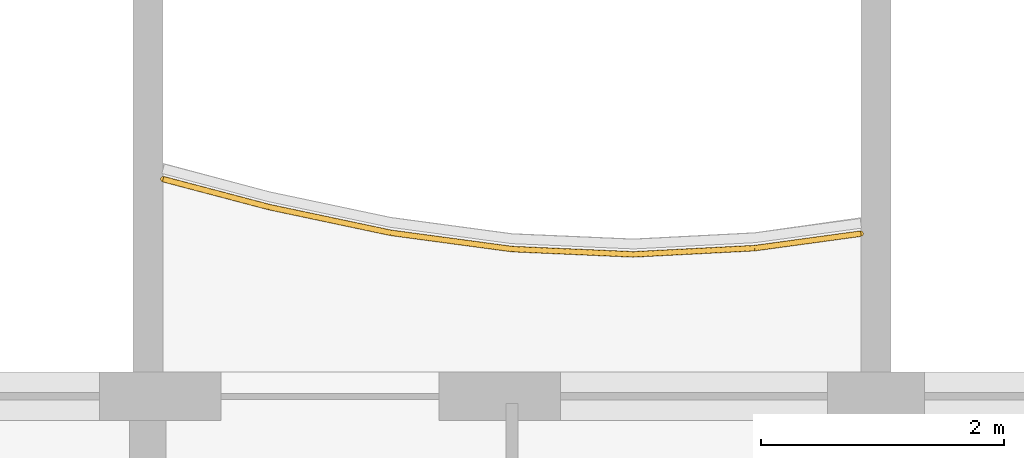
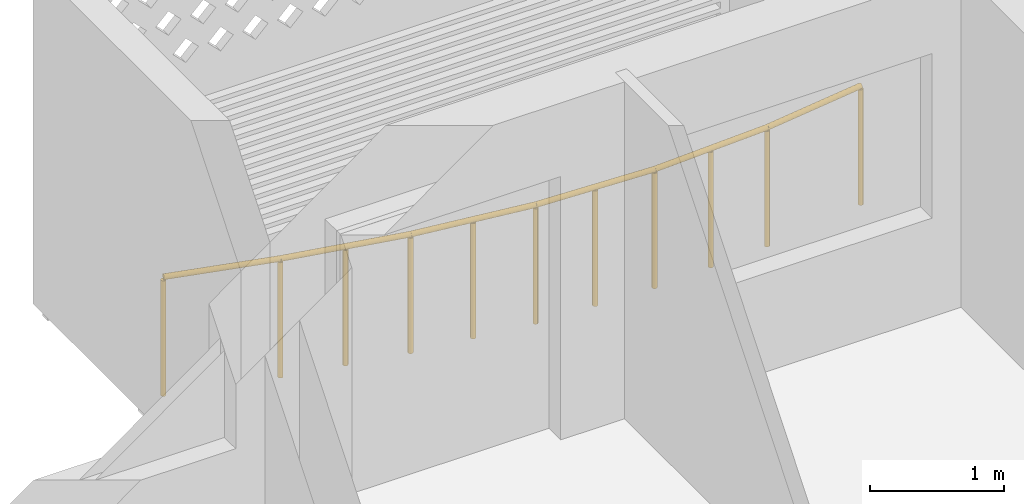
# One storey, part 26 of 33: 1 railing.
"""IFC4 building model written with IfcOpenShell, lengths in metres."""

from ifc_helpers import new_model, si_unit, direction, frame, origin, origin_2d, place, context, subcontext, project, spatial, circle, extrude, material, type_object, element, save


model = new_model("IFC4")

# Units and contexts
model_context = context("Model", 3, precision=1e-05, world=origin(), true_north=direction((0.0, 1.0)))
body_context = subcontext(model_context, "Body", "Model", "MODEL_VIEW")
ifc_project = project(units=[si_unit("LENGTHUNIT", "METRE"), si_unit("AREAUNIT", "SQUARE_METRE"), si_unit("VOLUMEUNIT", "CUBIC_METRE"), si_unit("PLANEANGLEUNIT", "RADIAN"), si_unit("MASSUNIT", "GRAM", prefix="KILO")], contexts=[model_context])

# Site, building, storey
site_placement = place(None, origin())
site = spatial("IfcSite", under=ifc_project, at=site_placement, CompositionType="ELEMENT")
building_placement = place(site_placement, origin())
building = spatial("IfcBuilding", under=site, at=building_placement, Name="Poui Terraces", CompositionType="ELEMENT")
storey_placement = place(building_placement, frame((0.0, 0.0, 135.60009765625)))
storey = spatial("IfcBuildingStorey", under=building, at=storey_placement, Name="L37", CompositionType="ELEMENT", Elevation=135.60009765625)

# Railing
ifc_material = material(Name="Painted steel fretwork", Category="steel")
railing_type = type_object("IfcRailingType", Name="BALCONY GUARD 1100", PredefinedType="GUARDRAIL", material=ifc_material)
railing_placement = place(storey_placement, frame((54.125, 44.190185546875, 0.0)))
element("IfcRailing", 1, at=railing_placement, inside=storey, type_object=railing_type, Name="BALCONY GUARD", PredefinedType="GUARDRAIL", context=body_context, shape_type="SweptSolid", body=[
    extrude(circle(Radius=0.02392578125, at=origin_2d()), frame((0.0, 0.0, 1.076171875), z_axis=(0.966952108313, -0.254958075434, 0.0), x_axis=(0.254958075434, 0.966952108313, 0.0)), (0.0, 0.0, 1.0), 0.90478515625),
    extrude(circle(Radius=0.02392578125, at=origin_2d()), frame((0.875, -0.230712890625, 1.076171875), z_axis=(0.978372019246, -0.206853068522, 0.0), x_axis=(0.206853068522, 0.978372019246, 0.0)), (0.0, 0.0, 1.0), 1.022216796875),
    extrude(circle(Radius=0.02392578125, at=origin_2d()), frame((1.875, -0.442138671875, 1.076171875), z_axis=(0.991104904979, -0.133082934018, 0.0), x_axis=(0.133082934018, 0.991104904979, 0.0)), (0.0, 0.0, 1.0), 1.009033203125),
    extrude(circle(Radius=0.02392578125, at=origin_2d()), frame((2.875, -0.576416015625, 1.076171875), z_axis=(0.999046469355, -0.043659501468, 0.0), x_axis=(0.043659501468, 0.999046469355, 0.0)), (0.0, 0.0, 1.0), 1.0009765625),
    extrude(circle(Radius=0.02392578125, at=origin_2d()), frame((3.875, -0.6201171875, 1.076171875), z_axis=(0.998675805692, 0.051445457764, 0.0), x_axis=(-0.051445457764, 0.998675805692, 0.0)), (0.0, 0.0, 1.0), 1.001220703125),
    extrude(circle(Radius=0.02392578125, at=origin_2d()), frame((4.875, -0.568603515625, 1.076171875), z_axis=(0.990820071533, 0.135187225162, 0.0), x_axis=(-0.135187225162, 0.990820071533, 0.0)), (0.0, 0.0, 1.0), 0.883056640625),
    extrude(circle(Radius=0.02099609375, at=origin_2d()), origin(), (0.0, 0.0, 1.0), 1.052001953125),
    extrude(circle(Radius=0.02099609375, at=origin_2d()), frame((0.875, -0.230712890625, 0.0)), (0.0, 0.0, 1.0), 1.052001953125),
    extrude(circle(Radius=0.02099609375, at=origin_2d()), frame((1.375, -0.33642578125, 0.0)), (0.0, 0.0, 1.0), 1.052001953125),
    extrude(circle(Radius=0.02099609375, at=origin_2d()), frame((1.875, -0.442138671875, 0.0)), (0.0, 0.0, 1.0), 1.052001953125),
    extrude(circle(Radius=0.02099609375, at=origin_2d()), frame((2.375, -0.50927734375, 0.0)), (0.0, 0.0, 1.0), 1.052001953125),
    extrude(circle(Radius=0.02099609375, at=origin_2d()), frame((2.875, -0.576416015625, 0.0)), (0.0, 0.0, 1.0), 1.052001953125),
    extrude(circle(Radius=0.02099609375, at=origin_2d()), frame((3.375, -0.59814453125, 0.0)), (0.0, 0.0, 1.0), 1.052001953125),
    extrude(circle(Radius=0.02099609375, at=origin_2d()), frame((3.875, -0.6201171875, 0.0)), (0.0, 0.0, 1.0), 1.052001953125),
    extrude(circle(Radius=0.02099609375, at=origin_2d()), frame((4.375, -0.59423828125, 0.0)), (0.0, 0.0, 1.0), 1.052001953125),
    extrude(circle(Radius=0.02099609375, at=origin_2d()), frame((4.875, -0.568603515625, 0.0)), (0.0, 0.0, 1.0), 1.052001953125),
    extrude(circle(Radius=0.02099609375, at=origin_2d()), frame((5.75, -0.44921875, 0.0)), (0.0, 0.0, 1.0), 1.052001953125),
])

save(model, "model.ifc")
